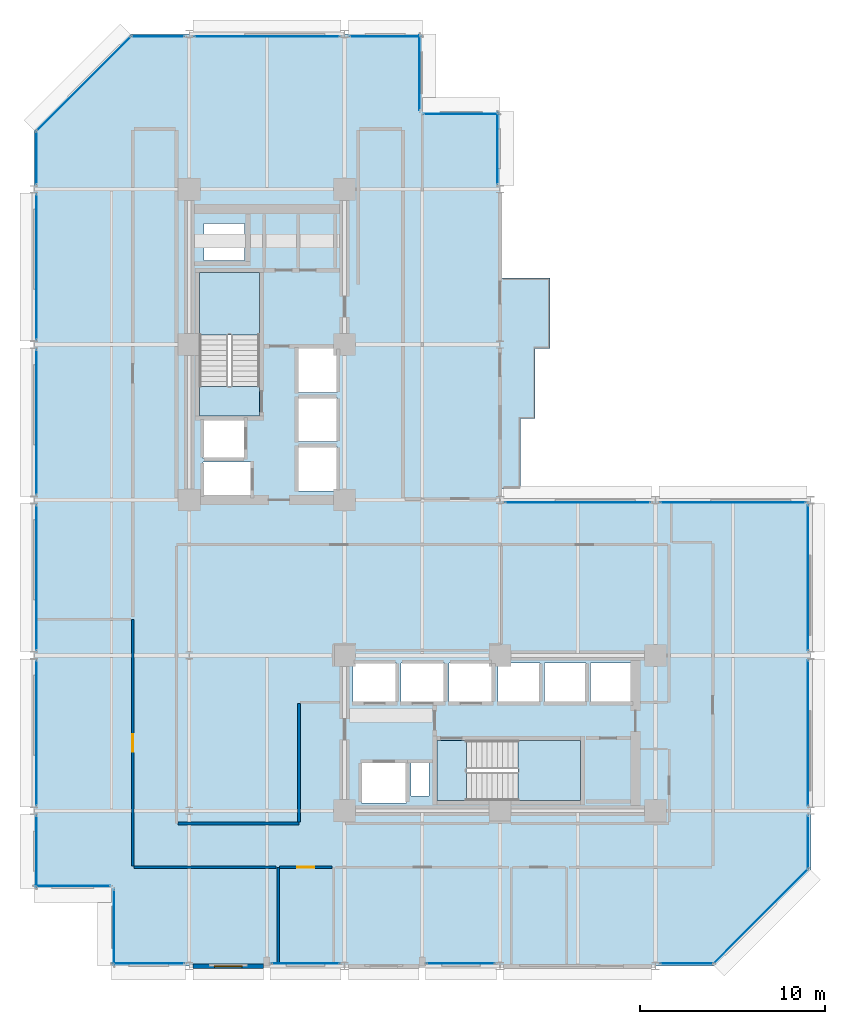
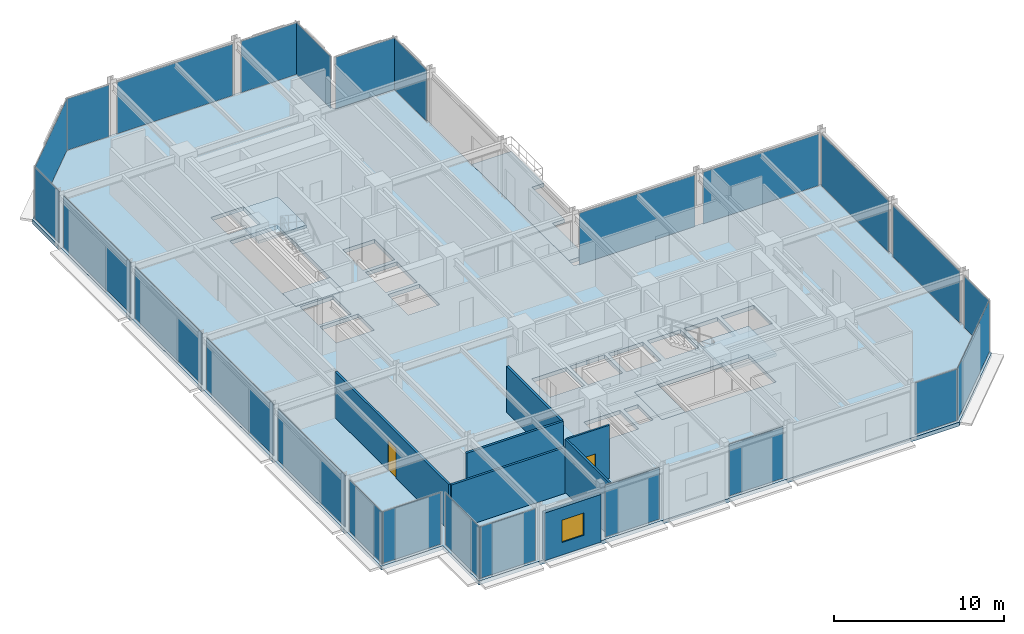
# One storey, part 23 of 30: 25 plates, 7 walls, 6 slabs, 2 doors, 1 window, 3 openings, 27 elements without a shape of their own.
"""IFC4 building model written with IfcOpenShell, lengths in metres."""

from ifc_helpers import new_model, si_unit, direction, frame, frame_2d, origin, origin_2d, place, context, subcontext, project, spatial, polyline, rectangle, outline, extrude, material, layer, layer_set, type_object, element, fill, aggregate, save


model = new_model("IFC4")

# Units and contexts
model_context = context("Model", 3, precision=1e-05, world=origin(), true_north=direction((0.0, 1.0)))
body_context = subcontext(model_context, "Body", "Model", "MODEL_VIEW")
ifc_project = project(units=[si_unit("LENGTHUNIT", "METRE"), si_unit("AREAUNIT", "SQUARE_METRE"), si_unit("VOLUMEUNIT", "CUBIC_METRE"), si_unit("PLANEANGLEUNIT", "RADIAN"), si_unit("MASSUNIT", "GRAM", prefix="KILO")], contexts=[model_context])

# Site, building, storey
site_placement = place(None, origin())
site = spatial("IfcSite", under=ifc_project, at=site_placement, CompositionType="ELEMENT")
building_placement = place(site_placement, origin())
building = spatial("IfcBuilding", under=site, at=building_placement, Name="Nerrivon Quay Data Exchange", CompositionType="ELEMENT")
storey_placement = place(building_placement, frame((0.0, 0.0, 117.199951171875)))
storey = spatial("IfcBuildingStorey", under=building, at=storey_placement, Name="L27", CompositionType="ELEMENT", Elevation=117.199951171875)

# Curtain wall, plate
ifc_material_1 = material(Name="Anodised aluminium 6063-T6", Category="aluminium")
ifc_layer_1 = layer(ifc_material_1, 0.2099609375)
ifc_layer_set_1 = layer_set([ifc_layer_1], Name="Anodised aluminium 6063-T6")
curtain_wall_type = type_object("IfcCurtainWallType", Name="CW-SYS-02", PredefinedType="NOTDEFINED", material=ifc_layer_set_1)
curtain_wall_1_placement = place(storey_placement, origin())
curtain_wall_1 = element("IfcCurtainWall", 1, at=curtain_wall_1_placement, inside=storey, type_object=curtain_wall_type, Name="L27 Unitised Curtain Wall 1", PredefinedType="NOTDEFINED")
ifc_material_2 = material(Name="Double-glazed low-E solar control glass", Category="glass")
ifc_layer_2 = layer(ifc_material_2, 0.028076171875)
ifc_layer_set_2 = layer_set([ifc_layer_2], Name="Double-glazed low-E solar control glass")
plate_type = type_object("IfcPlateType", Name="CWP-GLZ-28", PredefinedType="CURTAIN_PANEL", material=ifc_layer_set_2)
plate_1_placement = place(storey_placement, frame((39.301025390625, 2.698974609375, 0.06494140625), z_axis=(0.0, 0.0, 1.0), x_axis=(-0.707106781187, -0.707106781187, 0.0)))
plate_1 = element("IfcPlate", 2, at=plate_1_placement, type_object=plate_type, Name="CW02 panel 1.1", PredefinedType="CURTAIN_PANEL", context=body_context, shape_type="SweptSolid", body=[
    extrude(rectangle(XDim=7.203857421875, YDim=0.028076171875, at=origin_2d()), origin(), (0.0, 0.0, 1.0), 3.695068359375),
])
aggregate(curtain_wall_1, [plate_1])

curtain_wall_2_placement = place(storey_placement, origin())
curtain_wall_2 = element("IfcCurtainWall", 3, at=curtain_wall_2_placement, inside=storey, type_object=curtain_wall_type, Name="L27 Unitised Curtain Wall 2", PredefinedType="NOTDEFINED")
plate_2_placement = place(storey_placement, frame((35.300048828125, 0.139892578125, 0.06494140625), z_axis=(0.0, 0.0, 1.0), x_axis=(-1.0, 0.0, 0.0)))
plate_2 = element("IfcPlate", 4, at=plate_2_placement, type_object=plate_type, Name="CW02 panel 1.1", PredefinedType="CURTAIN_PANEL", context=body_context, shape_type="SweptSolid", body=[
    extrude(rectangle(XDim=2.85009765625, YDim=0.028076171875, at=origin_2d()), origin(), (0.0, 0.0, 1.0), 3.695068359375),
])
aggregate(curtain_wall_2, [plate_2])

curtain_wall_3_placement = place(storey_placement, origin())
curtain_wall_3 = element("IfcCurtainWall", 5, at=curtain_wall_3_placement, inside=storey, type_object=curtain_wall_type, Name="L27 Unitised Curtain Wall 4", PredefinedType="NOTDEFINED")
plate_3_placement = place(storey_placement, frame((23.08740234375, 0.139892578125, 0.06494140625), z_axis=(0.0, 0.0, 1.0), x_axis=(-1.0, 0.0, 0.0)))
plate_3 = element("IfcPlate", 6, at=plate_3_placement, type_object=plate_type, Name="CW02 panel 1.1", PredefinedType="CURTAIN_PANEL", context=body_context, shape_type="SweptSolid", body=[
    extrude(rectangle(XDim=3.675048828125, YDim=0.028076171875, at=origin_2d()), origin(), (0.0, 0.0, 1.0), 3.695068359375),
])
aggregate(curtain_wall_3, [plate_3])

curtain_wall_4_placement = place(storey_placement, origin())
curtain_wall_4 = element("IfcCurtainWall", 7, at=curtain_wall_4_placement, inside=storey, type_object=curtain_wall_type, Name="L27 Unitised Curtain Wall 6", PredefinedType="NOTDEFINED")
plate_4_placement = place(storey_placement, frame((14.6875, 0.139892578125, 0.06494140625), z_axis=(0.0, 0.0, 1.0), x_axis=(-1.0, 0.0, 0.0)))
plate_4 = element("IfcPlate", 8, at=plate_4_placement, type_object=plate_type, Name="CW02 panel 1.1", PredefinedType="CURTAIN_PANEL", context=body_context, shape_type="SweptSolid", body=[
    extrude(rectangle(XDim=3.675048828125, YDim=0.028076171875, at=origin_2d()), origin(), (0.0, 0.0, 1.0), 3.695068359375),
])
aggregate(curtain_wall_4, [plate_4])

curtain_wall_5_placement = place(storey_placement, origin())
curtain_wall_5 = element("IfcCurtainWall", 9, at=curtain_wall_5_placement, inside=storey, type_object=curtain_wall_type, Name="L27 Unitised Curtain Wall 8", PredefinedType="NOTDEFINED")
plate_5_placement = place(storey_placement, frame((6.199951171875, 0.139892578125, 0.06494140625), z_axis=(0.0, 0.0, 1.0), x_axis=(-1.0, 0.0, 0.0)))
plate_5 = element("IfcPlate", 10, at=plate_5_placement, type_object=plate_type, Name="CW02 panel 1.1", PredefinedType="CURTAIN_PANEL", context=body_context, shape_type="SweptSolid", body=[
    extrude(rectangle(XDim=3.85009765625, YDim=0.028076171875, at=origin_2d()), origin(), (0.0, 0.0, 1.0), 3.695068359375),
])
aggregate(curtain_wall_5, [plate_5])

curtain_wall_6_placement = place(storey_placement, origin())
curtain_wall_6 = element("IfcCurtainWall", 11, at=curtain_wall_6_placement, inside=storey, type_object=curtain_wall_type, Name="L27 Unitised Curtain Wall 9", PredefinedType="NOTDEFINED")
plate_6_placement = place(storey_placement, frame((4.340087890625, 2.10009765625, 0.06494140625), z_axis=(0.0, 0.0, 1.0), x_axis=(0.0, 1.0, 0.0)))
plate_6 = element("IfcPlate", 12, at=plate_6_placement, type_object=plate_type, Name="CW02 panel 1.1", PredefinedType="CURTAIN_PANEL", context=body_context, shape_type="SweptSolid", body=[
    extrude(rectangle(XDim=4.050048828125, YDim=0.028076171875, at=origin_2d()), origin(), (0.0, 0.0, 1.0), 3.695068359375),
])
aggregate(curtain_wall_6, [plate_6])

curtain_wall_7_placement = place(storey_placement, origin())
curtain_wall_7 = element("IfcCurtainWall", 13, at=curtain_wall_7_placement, inside=storey, type_object=curtain_wall_type, Name="L27 Unitised Curtain Wall 10", PredefinedType="NOTDEFINED")
plate_7_placement = place(storey_placement, frame((2.10009765625, 4.340087890625, 0.06494140625), z_axis=(0.0, 0.0, 1.0), x_axis=(-1.0, 0.0, 0.0)))
plate_7 = element("IfcPlate", 14, at=plate_7_placement, type_object=plate_type, Name="CW02 panel 1.1", PredefinedType="CURTAIN_PANEL", context=body_context, shape_type="SweptSolid", body=[
    extrude(rectangle(XDim=4.050048828125, YDim=0.028076171875, at=origin_2d()), origin(), (0.0, 0.0, 1.0), 3.695068359375),
])
aggregate(curtain_wall_7, [plate_7])

curtain_wall_8_placement = place(storey_placement, origin())
curtain_wall_8 = element("IfcCurtainWall", 15, at=curtain_wall_8_placement, inside=storey, type_object=curtain_wall_type, Name="L27 Unitised Curtain Wall 11", PredefinedType="NOTDEFINED")
plate_8_placement = place(storey_placement, frame((0.139892578125, 6.199951171875, 0.06494140625), z_axis=(0.0, 0.0, 1.0), x_axis=(0.0, 1.0, 0.0)))
plate_8 = element("IfcPlate", 16, at=plate_8_placement, type_object=plate_type, Name="CW02 panel 1.1", PredefinedType="CURTAIN_PANEL", context=body_context, shape_type="SweptSolid", body=[
    extrude(rectangle(XDim=3.85009765625, YDim=0.028076171875, at=origin_2d()), origin(), (0.0, 0.0, 1.0), 3.695068359375),
])
aggregate(curtain_wall_8, [plate_8])

curtain_wall_9_placement = place(storey_placement, origin())
curtain_wall_9 = element("IfcCurtainWall", 17, at=curtain_wall_9_placement, inside=storey, type_object=curtain_wall_type, Name="L27 Unitised Curtain Wall 12", PredefinedType="NOTDEFINED")
plate_9_placement = place(storey_placement, frame((0.139892578125, 12.60009765625, 0.06494140625), z_axis=(0.0, 0.0, 1.0), x_axis=(0.0, 1.0, 0.0)))
plate_9 = element("IfcPlate", 18, at=plate_9_placement, type_object=plate_type, Name="CW02 panel 1.1", PredefinedType="CURTAIN_PANEL", context=body_context, shape_type="SweptSolid", body=[
    extrude(rectangle(XDim=7.85009765625, YDim=0.028076171875, at=origin_2d()), origin(), (0.0, 0.0, 1.0), 3.695068359375),
])
aggregate(curtain_wall_9, [plate_9])

curtain_wall_10_placement = place(storey_placement, origin())
curtain_wall_10 = element("IfcCurtainWall", 19, at=curtain_wall_10_placement, inside=storey, type_object=curtain_wall_type, Name="L27 Unitised Curtain Wall 13", PredefinedType="NOTDEFINED")
plate_10_placement = place(storey_placement, frame((0.139892578125, 21.0, 0.06494140625), z_axis=(0.0, 0.0, 1.0), x_axis=(0.0, 1.0, 0.0)))
plate_10 = element("IfcPlate", 20, at=plate_10_placement, type_object=plate_type, Name="CW02 panel 1.1", PredefinedType="CURTAIN_PANEL", context=body_context, shape_type="SweptSolid", body=[
    extrude(rectangle(XDim=7.85009765625, YDim=0.028076171875, at=origin_2d()), origin(), (0.0, 0.0, 1.0), 3.695068359375),
])
aggregate(curtain_wall_10, [plate_10])

curtain_wall_11_placement = place(storey_placement, origin())
curtain_wall_11 = element("IfcCurtainWall", 21, at=curtain_wall_11_placement, inside=storey, type_object=curtain_wall_type, Name="L27 Unitised Curtain Wall 14", PredefinedType="NOTDEFINED")
plate_11_placement = place(storey_placement, frame((0.139892578125, 29.39990234375, 0.06494140625), z_axis=(0.0, 0.0, 1.0), x_axis=(0.0, 1.0, 0.0)))
plate_11 = element("IfcPlate", 22, at=plate_11_placement, type_object=plate_type, Name="CW02 panel 1.1", PredefinedType="CURTAIN_PANEL", context=body_context, shape_type="SweptSolid", body=[
    extrude(rectangle(XDim=7.85009765625, YDim=0.028076171875, at=origin_2d()), origin(), (0.0, 0.0, 1.0), 3.695068359375),
])
aggregate(curtain_wall_11, [plate_11])

curtain_wall_12_placement = place(storey_placement, origin())
curtain_wall_12 = element("IfcCurtainWall", 23, at=curtain_wall_12_placement, inside=storey, type_object=curtain_wall_type, Name="L27 Unitised Curtain Wall 15", PredefinedType="NOTDEFINED")
plate_12_placement = place(storey_placement, frame((0.139892578125, 37.800048828125, 0.06494140625), z_axis=(0.0, 0.0, 1.0), x_axis=(0.0, 1.0, 0.0)))
plate_12 = element("IfcPlate", 24, at=plate_12_placement, type_object=plate_type, Name="CW02 panel 1.1", PredefinedType="CURTAIN_PANEL", context=body_context, shape_type="SweptSolid", body=[
    extrude(rectangle(XDim=7.85009765625, YDim=0.028076171875, at=origin_2d()), origin(), (0.0, 0.0, 1.0), 3.695068359375),
])
aggregate(curtain_wall_12, [plate_12])

curtain_wall_13_placement = place(storey_placement, origin())
curtain_wall_13 = element("IfcCurtainWall", 25, at=curtain_wall_13_placement, inside=storey, type_object=curtain_wall_type, Name="L27 Unitised Curtain Wall 16", PredefinedType="NOTDEFINED")
plate_13_placement = place(storey_placement, frame((0.139892578125, 43.699951171875, 0.06494140625), z_axis=(0.0, 0.0, 1.0), x_axis=(0.0, 1.0, 0.0)))
plate_13 = element("IfcPlate", 26, at=plate_13_placement, type_object=plate_type, Name="CW02 panel 1.1", PredefinedType="CURTAIN_PANEL", context=body_context, shape_type="SweptSolid", body=[
    extrude(rectangle(XDim=2.85009765625, YDim=0.028076171875, at=origin_2d()), origin(), (0.0, 0.0, 1.0), 3.695068359375),
])
aggregate(curtain_wall_13, [plate_13])

curtain_wall_14_placement = place(storey_placement, origin())
curtain_wall_14 = element("IfcCurtainWall", 27, at=curtain_wall_14_placement, inside=storey, type_object=curtain_wall_type, Name="L27 Unitised Curtain Wall 17", PredefinedType="NOTDEFINED")
plate_14_placement = place(storey_placement, frame((2.698974609375, 47.700927734375, 0.06494140625), z_axis=(0.0, 0.0, 1.0), x_axis=(0.707106781187, 0.707106781187, 0.0)))
plate_14 = element("IfcPlate", 28, at=plate_14_placement, type_object=plate_type, Name="CW02 panel 1.1", PredefinedType="CURTAIN_PANEL", context=body_context, shape_type="SweptSolid", body=[
    extrude(rectangle(XDim=7.203857421875, YDim=0.028076171875, at=origin_2d()), origin(), (0.0, 0.0, 1.0), 3.695068359375),
])
aggregate(curtain_wall_14, [plate_14])

curtain_wall_15_placement = place(storey_placement, origin())
curtain_wall_15 = element("IfcCurtainWall", 29, at=curtain_wall_15_placement, inside=storey, type_object=curtain_wall_type, Name="L27 Unitised Curtain Wall 18", PredefinedType="NOTDEFINED")
plate_15_placement = place(storey_placement, frame((6.699951171875, 50.260009765625, 0.06494140625), z_axis=(0.0, 0.0, 1.0), x_axis=(1.0, 0.0, 0.0)))
plate_15 = element("IfcPlate", 30, at=plate_15_placement, type_object=plate_type, Name="CW02 panel 1.1", PredefinedType="CURTAIN_PANEL", context=body_context, shape_type="SweptSolid", body=[
    extrude(rectangle(XDim=2.85009765625, YDim=0.028076171875, at=origin_2d()), origin(), (0.0, 0.0, 1.0), 3.695068359375),
])
aggregate(curtain_wall_15, [plate_15])

curtain_wall_16_placement = place(storey_placement, origin())
curtain_wall_16 = element("IfcCurtainWall", 31, at=curtain_wall_16_placement, inside=storey, type_object=curtain_wall_type, Name="L27 Unitised Curtain Wall 19", PredefinedType="NOTDEFINED")
plate_16_placement = place(storey_placement, frame((12.60009765625, 50.260009765625, 0.06494140625), z_axis=(0.0, 0.0, 1.0), x_axis=(1.0, 0.0, 0.0)))
plate_16 = element("IfcPlate", 32, at=plate_16_placement, type_object=plate_type, Name="CW02 panel 1.1", PredefinedType="CURTAIN_PANEL", context=body_context, shape_type="SweptSolid", body=[
    extrude(rectangle(XDim=7.85009765625, YDim=0.028076171875, at=origin_2d()), origin(), (0.0, 0.0, 1.0), 3.695068359375),
])
aggregate(curtain_wall_16, [plate_16])

curtain_wall_17_placement = place(storey_placement, origin())
curtain_wall_17 = element("IfcCurtainWall", 33, at=curtain_wall_17_placement, inside=storey, type_object=curtain_wall_type, Name="L27 Unitised Curtain Wall 20", PredefinedType="NOTDEFINED")
plate_17_placement = place(storey_placement, frame((19.0, 50.260009765625, 0.06494140625), z_axis=(0.0, 0.0, 1.0), x_axis=(1.0, 0.0, 0.0)))
plate_17 = element("IfcPlate", 34, at=plate_17_placement, type_object=plate_type, Name="CW02 panel 1.1", PredefinedType="CURTAIN_PANEL", context=body_context, shape_type="SweptSolid", body=[
    extrude(rectangle(XDim=3.85009765625, YDim=0.028076171875, at=origin_2d()), origin(), (0.0, 0.0, 1.0), 3.695068359375),
])
aggregate(curtain_wall_17, [plate_17])

curtain_wall_18_placement = place(storey_placement, origin())
curtain_wall_18 = element("IfcCurtainWall", 35, at=curtain_wall_18_placement, inside=storey, type_object=curtain_wall_type, Name="L27 Unitised Curtain Wall 21", PredefinedType="NOTDEFINED")
plate_18_placement = place(storey_placement, frame((20.860107421875, 48.300048828125, 0.06494140625), z_axis=(0.0, 0.0, 1.0), x_axis=(0.0, -1.0, 0.0)))
plate_18 = element("IfcPlate", 36, at=plate_18_placement, type_object=plate_type, Name="CW02 panel 1.1", PredefinedType="CURTAIN_PANEL", context=body_context, shape_type="SweptSolid", body=[
    extrude(rectangle(XDim=4.050048828125, YDim=0.028076171875, at=origin_2d()), origin(), (0.0, 0.0, 1.0), 3.695068359375),
])
aggregate(curtain_wall_18, [plate_18])

curtain_wall_19_placement = place(storey_placement, origin())
curtain_wall_19 = element("IfcCurtainWall", 37, at=curtain_wall_19_placement, inside=storey, type_object=curtain_wall_type, Name="L27 Unitised Curtain Wall 22", PredefinedType="NOTDEFINED")
plate_19_placement = place(storey_placement, frame((23.10009765625, 46.06005859375, 0.06494140625), z_axis=(0.0, 0.0, 1.0), x_axis=(1.0, 0.0, 0.0)))
plate_19 = element("IfcPlate", 38, at=plate_19_placement, type_object=plate_type, Name="CW02 panel 1.1", PredefinedType="CURTAIN_PANEL", context=body_context, shape_type="SweptSolid", body=[
    extrude(rectangle(XDim=4.050048828125, YDim=0.028076171875, at=origin_2d()), origin(), (0.0, 0.0, 1.0), 3.695068359375),
])
aggregate(curtain_wall_19, [plate_19])

curtain_wall_20_placement = place(storey_placement, origin())
curtain_wall_20 = element("IfcCurtainWall", 39, at=curtain_wall_20_placement, inside=storey, type_object=curtain_wall_type, Name="L27 Unitised Curtain Wall 23", PredefinedType="NOTDEFINED")
plate_20_placement = place(storey_placement, frame((25.06005859375, 44.199951171875, 0.06494140625), z_axis=(0.0, 0.0, 1.0), x_axis=(0.0, -1.0, 0.0)))
plate_20 = element("IfcPlate", 40, at=plate_20_placement, type_object=plate_type, Name="CW02 panel 1.1", PredefinedType="CURTAIN_PANEL", context=body_context, shape_type="SweptSolid", body=[
    extrude(rectangle(XDim=3.85009765625, YDim=0.028076171875, at=origin_2d()), origin(), (0.0, 0.0, 1.0), 3.695068359375),
])
aggregate(curtain_wall_20, [plate_20])

curtain_wall_21_placement = place(storey_placement, origin())
curtain_wall_21 = element("IfcCurtainWall", 41, at=curtain_wall_21_placement, inside=storey, type_object=curtain_wall_type, Name="L27 Unitised Curtain Wall 26", PredefinedType="NOTDEFINED")
plate_21_placement = place(storey_placement, frame((29.39990234375, 25.06005859375, 0.06494140625), z_axis=(0.0, 0.0, 1.0), x_axis=(1.0, 0.0, 0.0)))
plate_21 = element("IfcPlate", 42, at=plate_21_placement, type_object=plate_type, Name="CW02 panel 1.1", PredefinedType="CURTAIN_PANEL", context=body_context, shape_type="SweptSolid", body=[
    extrude(rectangle(XDim=7.85009765625, YDim=0.028076171875, at=origin_2d()), origin(), (0.0, 0.0, 1.0), 3.695068359375),
])
aggregate(curtain_wall_21, [plate_21])

curtain_wall_22_placement = place(storey_placement, origin())
curtain_wall_22 = element("IfcCurtainWall", 43, at=curtain_wall_22_placement, inside=storey, type_object=curtain_wall_type, Name="L27 Unitised Curtain Wall 27", PredefinedType="NOTDEFINED")
plate_22_placement = place(storey_placement, frame((37.800048828125, 25.06005859375, 0.06494140625), z_axis=(0.0, 0.0, 1.0), x_axis=(1.0, 0.0, 0.0)))
plate_22 = element("IfcPlate", 44, at=plate_22_placement, type_object=plate_type, Name="CW02 panel 1.1", PredefinedType="CURTAIN_PANEL", context=body_context, shape_type="SweptSolid", body=[
    extrude(rectangle(XDim=7.85009765625, YDim=0.028076171875, at=origin_2d()), origin(), (0.0, 0.0, 1.0), 3.695068359375),
])
aggregate(curtain_wall_22, [plate_22])

curtain_wall_23_placement = place(storey_placement, origin())
curtain_wall_23 = element("IfcCurtainWall", 45, at=curtain_wall_23_placement, inside=storey, type_object=curtain_wall_type, Name="L27 Unitised Curtain Wall 28", PredefinedType="NOTDEFINED")
plate_23_placement = place(storey_placement, frame((41.860107421875, 21.0, 0.06494140625), z_axis=(0.0, 0.0, 1.0), x_axis=(0.0, -1.0, 0.0)))
plate_23 = element("IfcPlate", 46, at=plate_23_placement, type_object=plate_type, Name="CW02 panel 1.1", PredefinedType="CURTAIN_PANEL", context=body_context, shape_type="SweptSolid", body=[
    extrude(rectangle(XDim=7.85009765625, YDim=0.028076171875, at=origin_2d()), origin(), (0.0, 0.0, 1.0), 3.695068359375),
])
aggregate(curtain_wall_23, [plate_23])

curtain_wall_24_placement = place(storey_placement, origin())
curtain_wall_24 = element("IfcCurtainWall", 47, at=curtain_wall_24_placement, inside=storey, type_object=curtain_wall_type, Name="L27 Unitised Curtain Wall 29", PredefinedType="NOTDEFINED")
plate_24_placement = place(storey_placement, frame((41.860107421875, 12.60009765625, 0.06494140625), z_axis=(0.0, 0.0, 1.0), x_axis=(0.0, -1.0, 0.0)))
plate_24 = element("IfcPlate", 48, at=plate_24_placement, type_object=plate_type, Name="CW02 panel 1.1", PredefinedType="CURTAIN_PANEL", context=body_context, shape_type="SweptSolid", body=[
    extrude(rectangle(XDim=7.85009765625, YDim=0.028076171875, at=origin_2d()), origin(), (0.0, 0.0, 1.0), 3.695068359375),
])
aggregate(curtain_wall_24, [plate_24])

curtain_wall_25_placement = place(storey_placement, origin())
curtain_wall_25 = element("IfcCurtainWall", 49, at=curtain_wall_25_placement, inside=storey, type_object=curtain_wall_type, Name="L27 Unitised Curtain Wall 30", PredefinedType="NOTDEFINED")
plate_25_placement = place(storey_placement, frame((41.860107421875, 6.699951171875, 0.06494140625), z_axis=(0.0, 0.0, 1.0), x_axis=(0.0, -1.0, 0.0)))
plate_25 = element("IfcPlate", 50, at=plate_25_placement, type_object=plate_type, Name="CW02 panel 1.1", PredefinedType="CURTAIN_PANEL", context=body_context, shape_type="SweptSolid", body=[
    extrude(rectangle(XDim=2.85009765625, YDim=0.028076171875, at=origin_2d()), origin(), (0.0, 0.0, 1.0), 3.695068359375),
])
aggregate(curtain_wall_25, [plate_25])

# Slab
ifc_material_3 = material(Name="Precast white architectural concrete N50 (50 MPa)", Category="concrete")
ifc_layer_3 = layer(ifc_material_3, 0.25)
ifc_layer_set_3 = layer_set([ifc_layer_3], Name="Precast white architectural concrete N50 (50 MPa)")
slab_type_1 = type_object("IfcSlabType", Name="SLB-BAL-250", PredefinedType="FLOOR", material=ifc_layer_set_3)
slab_1_placement = place(storey_placement, frame((0.0, 0.0, -0.25)))
element("IfcSlab", 51, at=slab_1_placement, inside=storey, type_object=slab_type_1, Name="L27 Waterfront Subtropical Verandah", PredefinedType="FLOOR", context=body_context, shape_type="SweptSolid", body=[
    extrude(outline(polyline([(26.300048828125, 29.60009765625), (27.10009765625, 29.60009765625), (27.10009765625, 33.39990234375), (27.89990234375, 33.39990234375), (27.89990234375, 37.199951171875), (25.199951171875, 37.199951171875), (25.199951171875, 33.39990234375), (25.199951171875, 29.60009765625), (25.199951171875, 25.800048828125), (26.300048828125, 25.800048828125), (26.300048828125, 29.60009765625)])), origin(), (0.0, 0.0, 1.0), 0.25),
])

# Stair, slab
ifc_material_4 = material(Name="Concrete N50 (50 MPa)", Category="concrete")
stair_type = type_object("IfcStairType", Name="STAIR-DOG-41", PredefinedType="HALF_TURN_STAIR", material=ifc_material_4)
stair_1_placement = place(storey_placement, origin())
stair_1 = element("IfcStair", 52, at=stair_1_placement, inside=storey, type_object=stair_type, Name="L27 West Core Fire Stair ST01", PredefinedType="HALF_TURN_STAIR")
ifc_layer_4 = layer(ifc_material_4, 0.199951171875)
ifc_layer_set_4 = layer_set([ifc_layer_4], Name="Concrete N50 (50 MPa)")
slab_type_2 = type_object("IfcSlabType", Name="SLB-LAND-200", PredefinedType="LANDING", material=ifc_layer_set_4)
slab_2_placement = place(storey_placement, frame((0.0, 0.0, 1.85009765625)))
slab_2 = element("IfcSlab", 53, at=slab_2_placement, type_object=slab_type_2, Name="ST01 landing 1", PredefinedType="LANDING", context=body_context, shape_type="SweptSolid", body=[
    extrude(outline(polyline([(12.199951171875, 34.1298828125), (12.199951171875, 37.5), (8.949951171875, 37.5), (8.949951171875, 34.1298828125), (12.199951171875, 34.1298828125)])), origin(), (0.0, 0.0, 1.0), 0.199951171875),
])
aggregate(stair_1, [slab_2])

# Slab
slab_3_placement = place(storey_placement, frame((0.0, 0.0, -0.199951171875)))
element("IfcSlab", 54, at=slab_3_placement, inside=storey, type_object=slab_type_2, Name="L27 ST01 floor landing", PredefinedType="LANDING", context=body_context, shape_type="SweptSolid", body=[
    extrude(outline(polyline([(12.199951171875, 29.75), (12.199951171875, 31.330078125), (8.949951171875, 31.330078125), (8.949951171875, 29.75), (12.199951171875, 29.75)])), origin(), (0.0, 0.0, 1.0), 0.199951171875),
])

# Stair, slab
stair_2_placement = place(storey_placement, origin())
stair_2 = element("IfcStair", 55, at=stair_2_placement, inside=storey, type_object=stair_type, Name="L27 East Core Fire Stair ST02", PredefinedType="HALF_TURN_STAIR")
slab_4_placement = place(storey_placement, frame((0.0, 0.0, 1.85009765625)))
slab_4 = element("IfcSlab", 56, at=slab_4_placement, type_object=slab_type_2, Name="ST02 landing 1", PredefinedType="LANDING", context=body_context, shape_type="SweptSolid", body=[
    extrude(outline(polyline([(26.179931640625, 8.949951171875), (29.550048828125, 8.949951171875), (29.550048828125, 12.199951171875), (26.179931640625, 12.199951171875), (26.179931640625, 8.949951171875)])), origin(), (0.0, 0.0, 1.0), 0.199951171875),
])
aggregate(stair_2, [slab_4])

# Slabs
slab_5_placement = place(storey_placement, frame((0.0, 0.0, -0.199951171875)))
element("IfcSlab", 57, at=slab_5_placement, inside=storey, type_object=slab_type_2, Name="L27 ST02 floor landing", PredefinedType="LANDING", context=body_context, shape_type="SweptSolid", body=[
    extrude(outline(polyline([(21.800048828125, 8.949951171875), (23.3798828125, 8.949951171875), (23.3798828125, 12.199951171875), (21.800048828125, 12.199951171875), (21.800048828125, 8.949951171875)])), origin(), (0.0, 0.0, 1.0), 0.199951171875),
])
ifc_layer_5 = layer(ifc_material_4, 0.27490234375)
ifc_layer_set_5 = layer_set([ifc_layer_5], Name="Concrete N50 (50 MPa)")
slab_type_3 = type_object("IfcSlabType", Name="SLB-TOW-275", PredefinedType="FLOOR", material=ifc_layer_set_5)
slab_6_placement = place(storey_placement, frame((0.0, 0.0, -0.27490234375)))
element("IfcSlab", 58, at=slab_6_placement, inside=storey, type_object=slab_type_3, Name="L27 Primary Structural Slab", PredefinedType="FLOOR", context=body_context, shape_type="SweptSolid", body=[
    extrude(outline(polyline([(42.0, 25.199951171875), (25.199951171875, 25.199951171875), (25.199951171875, 46.199951171875), (21.0, 46.199951171875), (21.0, 50.39990234375), (5.199951171875, 50.39990234375), (0.0, 45.199951171875), (0.0, 4.199951171875), (4.199951171875, 4.199951171875), (4.199951171875, 0.0), (36.800048828125, 0.0), (42.0, 5.199951171875), (42.0, 25.199951171875)]), holes=[polyline([(8.949951171875, 29.75), (8.949951171875, 37.5), (12.199951171875, 37.5), (12.199951171875, 29.75), (8.949951171875, 29.75)]), polyline([(21.800048828125, 12.199951171875), (29.550048828125, 12.199951171875), (29.550048828125, 8.949951171875), (21.800048828125, 8.949951171875), (21.800048828125, 12.199951171875)]), polyline([(30.10009765625, 16.39990234375), (32.35009765625, 16.39990234375), (32.35009765625, 14.25), (30.10009765625, 14.25), (30.10009765625, 16.39990234375)]), polyline([(27.60009765625, 16.39990234375), (29.85009765625, 16.39990234375), (29.85009765625, 14.25), (27.60009765625, 14.25), (27.60009765625, 16.39990234375)]), polyline([(25.10009765625, 16.39990234375), (27.35009765625, 16.39990234375), (27.35009765625, 14.25), (25.10009765625, 14.25), (25.10009765625, 16.39990234375)]), polyline([(22.449951171875, 16.39990234375), (24.800048828125, 16.39990234375), (24.800048828125, 14.25), (22.449951171875, 14.25), (22.449951171875, 16.39990234375)]), polyline([(19.85009765625, 16.39990234375), (22.199951171875, 16.39990234375), (22.199951171875, 14.25), (19.85009765625, 14.25), (19.85009765625, 16.39990234375)]), polyline([(20.39990234375, 11.0), (21.35009765625, 11.0), (21.35009765625, 9.199951171875), (20.39990234375, 9.199951171875), (20.39990234375, 11.0)]), polyline([(17.699951171875, 8.830078125), (17.699951171875, 11.030029296875), (20.14990234375, 11.030029296875), (20.14990234375, 8.830078125), (17.699951171875, 8.830078125)]), polyline([(17.25, 14.25), (17.25, 16.39990234375), (19.60009765625, 16.39990234375), (19.60009765625, 14.25), (17.25, 14.25)]), polyline([(14.25, 28.10009765625), (16.39990234375, 28.10009765625), (16.39990234375, 25.699951171875), (14.25, 25.699951171875), (14.25, 28.10009765625)]), polyline([(14.25, 30.75), (16.39990234375, 30.75), (16.39990234375, 28.35009765625), (14.25, 28.35009765625), (14.25, 30.75)]), polyline([(14.25, 33.39990234375), (16.39990234375, 33.39990234375), (16.39990234375, 31.0), (14.25, 31.0), (14.25, 33.39990234375)]), polyline([(9.14990234375, 27.25), (11.75, 27.25), (11.75, 25.35009765625), (9.14990234375, 25.35009765625), (9.14990234375, 27.25)]), polyline([(9.14990234375, 29.60009765625), (11.39990234375, 29.60009765625), (11.39990234375, 27.449951171875), (9.14990234375, 27.449951171875), (9.14990234375, 29.60009765625)]), polyline([(9.199951171875, 40.14990234375), (11.39990234375, 40.14990234375), (11.39990234375, 38.14990234375), (9.199951171875, 38.14990234375), (9.199951171875, 40.14990234375)])]), origin(), (0.0, 0.0, 1.0), 0.27490234375),
])

# Wall, opening, window
ifc_material_5 = material(Name="Architectural terracotta precast concrete N50 (50 MPa)", Category="masonry")
ifc_layer_6 = layer(ifc_material_5, 0.239990234375)
ifc_layer_set_6 = layer_set([ifc_layer_6], Name="Architectural terracotta precast concrete N50 (50 MPa)")
wall_type_1 = type_object("IfcWallType", Name="EW-PREC-240", PredefinedType="STANDARD", material=ifc_layer_set_6)
wall_1_placement = place(storey_placement, frame((12.425048828125, 0.0, 0.0), z_axis=(0.0, 0.0, 1.0), x_axis=(-1.0, 0.0, 0.0)))
wall_1 = element("IfcWall", 59, at=wall_1_placement, inside=storey, type_object=wall_type_1, Name="L27 Podium Precast Spandrel Wall 7", PredefinedType="STANDARD", context=body_context, shape_type="SweptSolid", body=[
    extrude(rectangle(XDim=3.824951171875, YDim=0.239990234375, at=frame_2d((1.91259765625, 0.0))), origin(), (0.0, 0.0, 1.0), 3.422119140625),
])
opening_1_placement = place(wall_1_placement, frame((1.16259765625, 0.0, 0.89990234375)))
opening_1 = element("IfcOpeningElement", 60, at=opening_1_placement, cuts=wall_1, Name="Opening WN4", PredefinedType="OPENING", context=body_context, shape_type="SweptSolid", body=[
    extrude(rectangle(XDim=1.5, YDim=1.60009765625, at=frame_2d((0.75, 0.800048828125))), frame((0.0, 0.1298828125, 0.0), z_axis=(0.0, -1.0, 0.0), x_axis=(1.0, 0.0, 0.0)), (0.0, 0.0, 1.0), 0.260009765625),
])
window_type = type_object("IfcWindowType", Name="WIN-W4-1500x1600", PartitioningType="SINGLE_PANEL", PredefinedType="WINDOW", material=ifc_material_2)
window_placement = place(opening_1_placement, origin())
window = element("IfcWindow", 61, at=window_placement, inside=storey, type_object=window_type, Name="L27 Solar Facade Window 7", OverallHeight=1.60009765625, OverallWidth=1.5, PartitioningType="SINGLE_PANEL", PredefinedType="WINDOW", context=body_context, shape_type="SweptSolid", body=[
    extrude(rectangle(XDim=1.5, YDim=1.60009765625, at=frame_2d((0.75, 0.800048828125))), frame((0.0, 0.030029296875, 0.0), z_axis=(0.0, -1.0, 0.0), x_axis=(1.0, 0.0, 0.0)), (0.0, 0.0, 1.0), 0.06005859375),
])
fill(opening_1, window)

# Wall, opening, door
ifc_material_6 = material(Name="Gypsum plasterboard on cold-formed framing", Category="gypsum")
ifc_layer_7 = layer(ifc_material_6, 0.1201171875)
ifc_layer_set_7 = layer_set([ifc_layer_7], Name="Gypsum plasterboard on cold-formed framing")
wall_type_2 = type_object("IfcWallType", Name="WALL-PT-120", PredefinedType="PARTITIONING", material=ifc_layer_set_7)
wall_2_placement = place(storey_placement, frame((16.12841796875, 5.340087890625, 0.0), z_axis=(0.0, 0.0, 1.0), x_axis=(-1.0, 0.0, 0.0)))
wall_2 = element("IfcWall", 62, at=wall_2_placement, inside=storey, type_object=wall_type_2, Name="L27 Partition Accessible Toilet", PredefinedType="PARTITIONING", context=body_context, shape_type="SweptSolid", body=[
    extrude(rectangle(XDim=2.85693359375, YDim=0.1201171875, at=frame_2d((1.428466796875, 0.0))), origin(), (0.0, 0.0, 1.0), 3.824951171875),
])
opening_2_placement = place(wall_2_placement, frame((0.968505859375, 0.0, 0.0)))
opening_2 = element("IfcOpeningElement", 63, at=opening_2_placement, cuts=wall_2, Name="Opening D-WC", PredefinedType="OPENING", context=body_context, shape_type="SweptSolid", body=[
    extrude(rectangle(XDim=0.919921875, YDim=2.10009765625, at=frame_2d((0.4599609375, 1.050048828125))), frame((0.0, 0.070068359375, 0.0), z_axis=(0.0, -1.0, 0.0), x_axis=(1.0, 0.0, 0.0)), (0.0, 0.0, 1.0), 0.14013671875),
])
ifc_material_7 = material(Name="Engineered hardwood timber", Category="wood")
door_type_1 = type_object("IfcDoorType", Name="DR-WC-920", OperationType="NOTDEFINED", PredefinedType="DOOR", material=ifc_material_7)
door_1_placement = place(opening_2_placement, origin())
door_1 = element("IfcDoor", 64, at=door_1_placement, inside=storey, type_object=door_type_1, Name="L27 Door Accessible Toilet", OperationType="SINGLE_SWING_LEFT", OverallHeight=2.10009765625, OverallWidth=0.919921875, PredefinedType="DOOR", context=body_context, shape_type="SweptSolid", body=[
    extrude(rectangle(XDim=0.919921875, YDim=2.10009765625, at=frame_2d((0.4599609375, 1.050048828125))), frame((0.0, 0.02490234375, 0.0), z_axis=(0.0, -1.0, 0.0), x_axis=(1.0, 0.0, 0.0)), (0.0, 0.0, 1.0), 0.050048828125),
])
fill(opening_2, door_1)

# Wall
ifc_layer_8 = layer(ifc_material_6, 0.135009765625)
ifc_layer_set_8 = layer_set([ifc_layer_8], Name="Gypsum plasterboard on cold-formed framing")
wall_type_3 = type_object("IfcWallType", Name="WALL-PT-135", PredefinedType="PARTITIONING", material=ifc_layer_set_8)
wall_3_placement = place(storey_placement, frame((13.199951171875, 5.340087890625, 0.0), z_axis=(0.0, 0.0, 1.0), x_axis=(0.0, -1.0, 0.0)))
element("IfcWall", 65, at=wall_3_placement, inside=storey, type_object=wall_type_3, Name="L27 Partition Accessible Toilet", PredefinedType="PARTITIONING", context=body_context, shape_type="SweptSolid", body=[
    extrude(rectangle(XDim=5.171142578125, YDim=0.135009765625, at=frame_2d((2.58544921875, 0.0))), origin(), (0.0, 0.0, 1.0), 3.824951171875),
])

# Wall, opening, door
ifc_layer_9 = layer(ifc_material_6, 0.14990234375)
ifc_layer_set_9 = layer_set([ifc_layer_9], Name="Gypsum plasterboard on cold-formed framing")
wall_type_4 = type_object("IfcWallType", Name="WALL-PT-150", PredefinedType="PARTITIONING", material=ifc_layer_set_9)
wall_4_placement = place(storey_placement, frame((5.340087890625, 5.39990234375, 0.0), z_axis=(0.0, 0.0, 1.0), x_axis=(0.0, 1.0, 0.0)))
wall_4 = element("IfcWall", 66, at=wall_4_placement, inside=storey, type_object=wall_type_4, Name="L27 Partition Quiet Reading Room", PredefinedType="PARTITIONING", context=body_context, shape_type="SweptSolid", body=[
    extrude(rectangle(XDim=13.347412109375, YDim=0.14990234375, at=frame_2d((6.673828125, 0.0))), origin(), (0.0, 0.0, 1.0), 3.2919921875),
])
opening_3_placement = place(wall_4_placement, frame((6.198486328125, 0.0, 0.0)))
opening_3 = element("IfcOpeningElement", 67, at=opening_3_placement, cuts=wall_4, Name="Opening D-01", PredefinedType="OPENING", context=body_context, shape_type="SweptSolid", body=[
    extrude(rectangle(XDim=0.949951171875, YDim=2.14990234375, at=frame_2d((0.47509765625, 1.074951171875))), frame((0.0, 0.0849609375, 0.0), z_axis=(0.0, -1.0, 0.0), x_axis=(1.0, 0.0, 0.0)), (0.0, 0.0, 1.0), 0.169921875),
])
door_type_2 = type_object("IfcDoorType", Name="DR-INT-950", OperationType="NOTDEFINED", PredefinedType="DOOR", material=ifc_material_7)
door_2_placement = place(opening_3_placement, origin())
door_2 = element("IfcDoor", 68, at=door_2_placement, inside=storey, type_object=door_type_2, Name="L27 Door Quiet Reading Room", OperationType="SINGLE_SWING_RIGHT", OverallHeight=2.14990234375, OverallWidth=0.949951171875, PredefinedType="DOOR", context=body_context, shape_type="SweptSolid", body=[
    extrude(rectangle(XDim=0.949951171875, YDim=2.14990234375, at=frame_2d((0.47509765625, 1.074951171875))), frame((0.0, 0.02490234375, 0.0), z_axis=(0.0, -1.0, 0.0), x_axis=(1.0, 0.0, 0.0)), (0.0, 0.0, 1.0), 0.050048828125),
])
fill(opening_3, door_2)

# Walls
wall_5_placement = place(storey_placement, frame((13.080078125, 5.340087890625, 0.0), z_axis=(0.0, 0.0, 1.0), x_axis=(-1.0, 0.0, 0.0)))
element("IfcWall", 69, at=wall_5_placement, inside=storey, type_object=wall_type_4, Name="L27 Partition Quiet Reading Room", PredefinedType="PARTITIONING", context=body_context, shape_type="SweptSolid", body=[
    extrude(rectangle(XDim=7.68017578125, YDim=0.14990234375, at=frame_2d((3.840087890625, 0.0))), origin(), (0.0, 0.0, 1.0), 3.297119140625),
])
wall_6_placement = place(storey_placement, frame((7.7890625, 7.7099609375, 0.0), z_axis=(0.0, 0.0, 1.0), x_axis=(1.0, 0.0, 0.0)))
element("IfcWall", 70, at=wall_6_placement, inside=storey, type_object=wall_type_4, Name="L27 Partition Staff Bistro", PredefinedType="PARTITIONING", context=body_context, shape_type="SweptSolid", body=[
    extrude(rectangle(XDim=6.551025390625, YDim=0.14990234375, at=frame_2d((3.275390625, 0.0))), origin(), (0.0, 0.0, 1.0), 3.297119140625),
])
wall_7_placement = place(storey_placement, frame((14.340087890625, 7.7890625, 0.0), z_axis=(0.0, 0.0, 1.0), x_axis=(0.0, 1.0, 0.0)))
element("IfcWall", 71, at=wall_7_placement, inside=storey, type_object=wall_type_4, Name="L27 Partition Staff Bistro", PredefinedType="PARTITIONING", context=body_context, shape_type="SweptSolid", body=[
    extrude(rectangle(XDim=6.410888671875, YDim=0.14990234375, at=frame_2d((3.20556640625, 0.0))), origin(), (0.0, 0.0, 1.0), 3.2919921875),
])

save(model, "model.ifc")
